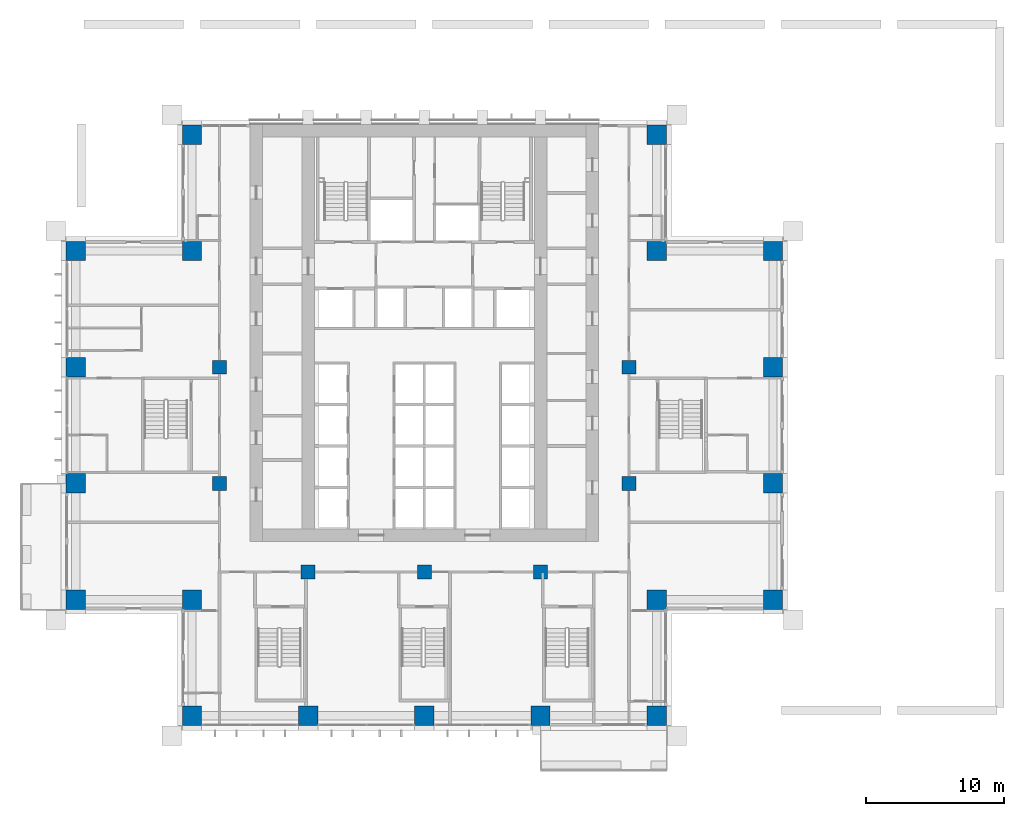
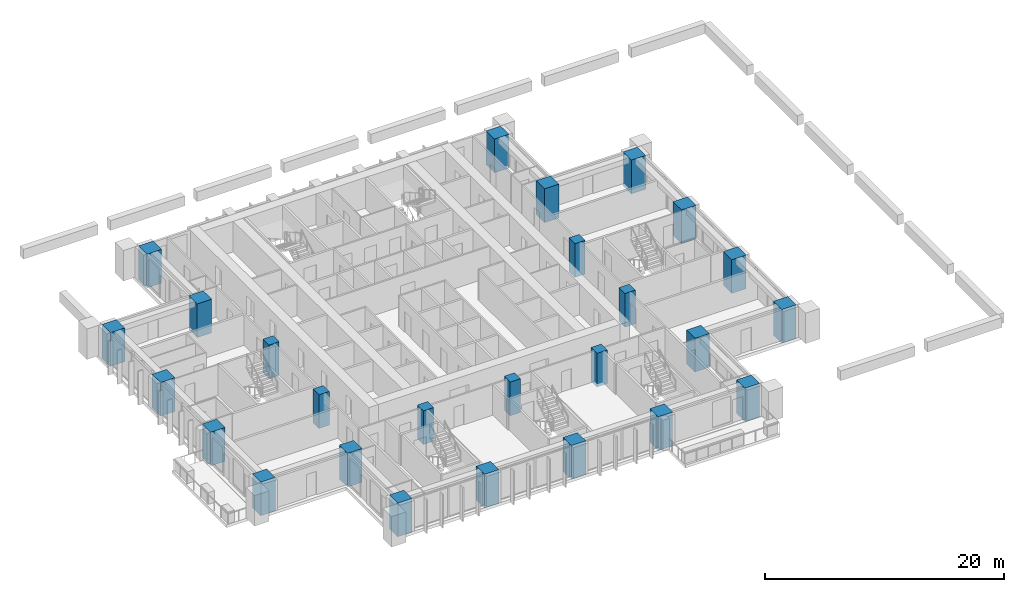
# One storey, part 1 of 18: 26 columns.
"""IFC4 building model written with IfcOpenShell, lengths in metres."""

from ifc_helpers import new_model, si_unit, direction, frame, origin, origin_2d, place, context, subcontext, project, spatial, rectangle, extrude, material, material_profile, profile_set, type_object, element, save


model = new_model("IFC4")

# Units and contexts
model_context = context("Model", 3, precision=1e-05, world=origin(), true_north=direction((0.0, 1.0)))
body_context = subcontext(model_context, "Body", "Model", "MODEL_VIEW")
ifc_project = project(units=[si_unit("LENGTHUNIT", "METRE"), si_unit("AREAUNIT", "SQUARE_METRE"), si_unit("VOLUMEUNIT", "CUBIC_METRE"), si_unit("PLANEANGLEUNIT", "RADIAN"), si_unit("MASSUNIT", "GRAM", prefix="KILO")], contexts=[model_context])

# Site, building, storey
site_placement = place(None, origin())
site = spatial("IfcSite", under=ifc_project, at=site_placement, CompositionType="ELEMENT")
building_placement = place(site_placement, origin())
building = spatial("IfcBuilding", under=site, at=building_placement, Name="Vermilion Ogive Tower", CompositionType="ELEMENT")
storey_placement = place(building_placement, frame((0.0, 0.0, 34.5)))
storey = spatial("IfcBuildingStorey", under=building, at=storey_placement, Name="L06", CompositionType="ELEMENT", Elevation=34.5)

# Columns
ifc_material_1 = material(Name="Concrete B80", Category="concrete")
ifc_material_profile_1 = material_profile(ifc_material_1, rectangle(XDim=1.39990234375, YDim=1.39990234375, at=origin_2d()), Name="1400 x 1400")
ifc_profile_set_1 = profile_set([ifc_material_profile_1], Name="Concrete B80")
column_type_1 = type_object("IfcColumnType", Name="Perimeter column 1400 x 1400 B80", PredefinedType="COLUMN", material=ifc_profile_set_1)
for number, where, z_axis, x_axis, name in (
    (1, (-16.800048828125, -21.0, -0.320068359375), (0.0, 0.0, 1.0), (1.0, 0.0, 0.0), "COL-L06-P-0168-210"),
    (2, (-8.39990234375, -21.0, -0.320068359375), (0.0, 0.0, 1.0), (1.0, 0.0, 0.0), "COL-L06-P-0084-210"),
    (3, (0.0, -21.0, -0.320068359375), (0.0, 0.0, 1.0), (1.0, 0.0, 0.0), "COL-L06-P+0000-210"),
    (4, (8.39990234375, -21.0, -0.320068359375), (0.0, 0.0, 1.0), (1.0, 0.0, 0.0), "COL-L06-P+0084-210"),
    (5, (16.800048828125, -21.0, -0.320068359375), (0.0, 0.0, 1.0), (1.0, 0.0, 0.0), "COL-L06-P+0168-210"),
    (6, (-25.199951171875, -12.60009765625, -0.320068359375), (0.0, 0.0, 1.0), (1.0, 0.0, 0.0), "COL-L06-P-0252-126"),
    (7, (-16.800048828125, -12.60009765625, -0.320068359375), (0.0, 0.0, 1.0), (1.0, 0.0, 0.0), "COL-L06-P-0168-126"),
    (8, (16.800048828125, -12.60009765625, -0.320068359375), (0.0, 0.0, 1.0), (1.0, 0.0, 0.0), "COL-L06-P+0168-126"),
    (9, (25.199951171875, -12.60009765625, -0.320068359375), (0.0, 0.0, 1.0), (1.0, 0.0, 0.0), "COL-L06-P+0252-126"),
    (10, (-25.199951171875, -4.199951171875, -0.320068359375), (0.0, 0.0, 1.0), (1.0, 0.0, 0.0), "COL-L06-P-0252-042"),
    (11, (25.199951171875, -4.199951171875, -0.320068359375), (0.0, 0.0, 1.0), (1.0, 0.0, 0.0), "COL-L06-P+0252-042"),
    (12, (-25.199951171875, 4.199951171875, -0.320068359375), (0.0, 0.0, 1.0), (1.0, 0.0, 0.0), "COL-L06-P-0252+042"),
    (13, (25.199951171875, 4.199951171875, -0.320068359375), (0.0, 0.0, 1.0), (1.0, 0.0, 0.0), "COL-L06-P+0252+042"),
    (14, (-25.199951171875, 12.60009765625, -0.320068359375), (0.0, 0.0, 1.0), (1.0, 0.0, 0.0), "COL-L06-P-0252+126"),
    (15, (-16.800048828125, 12.60009765625, -0.320068359375), (0.0, 0.0, 1.0), (1.0, 0.0, 0.0), "COL-L06-P-0168+126"),
    (16, (16.800048828125, 12.60009765625, -0.320068359375), (0.0, 0.0, 1.0), (1.0, 0.0, 0.0), "COL-L06-P+0168+126"),
    (17, (25.199951171875, 12.60009765625, -0.320068359375), (0.0, 0.0, 1.0), (1.0, 0.0, 0.0), "COL-L06-P+0252+126"),
    (18, (-16.800048828125, 21.0, -0.320068359375), (0.0, 0.0, 1.0), (1.0, 0.0, 0.0), "COL-L06-P-0168+210"),
    (19, (16.800048828125, 21.0, -0.320068359375), (0.0, 0.0, 1.0), (1.0, 0.0, 0.0), "COL-L06-P+0168+210"),
):
    element("IfcColumn", number, at=place(storey_placement, frame(where, z_axis=z_axis, x_axis=x_axis)), inside=storey, type_object=column_type_1, Name=name, PredefinedType="COLUMN", context=body_context, shape_type="SweptSolid", body=[
        extrude(rectangle(XDim=1.39990234375, YDim=1.39990234375, at=origin_2d()), origin(), (0.0, 0.0, 1.0), 3.449951171875),
    ])
ifc_material_2 = material(Name="Concrete B80", Category="concrete")
ifc_material_profile_2 = material_profile(ifc_material_2, rectangle(XDim=1.0, YDim=1.0, at=origin_2d()), Name="1000 x 1000")
ifc_profile_set_2 = profile_set([ifc_material_profile_2], Name="Concrete B80")
column_type_2 = type_object("IfcColumnType", Name="Ring column 1000 x 1000 B80", PredefinedType="COLUMN", material=ifc_profile_set_2)
for number, where, z_axis, x_axis, name in (
    (20, (-8.39990234375, -10.60009765625, -0.320068359375), (0.0, 0.0, 1.0), (1.0, 0.0, 0.0), "COL-L06-R-0084-106"),
    (21, (0.0, -10.60009765625, -0.320068359375), (0.0, 0.0, 1.0), (1.0, 0.0, 0.0), "COL-L06-R+0000-106"),
    (22, (8.39990234375, -10.60009765625, -0.320068359375), (0.0, 0.0, 1.0), (1.0, 0.0, 0.0), "COL-L06-R+0084-106"),
    (23, (-14.800048828125, -4.199951171875, -0.320068359375), (0.0, 0.0, 1.0), (1.0, 0.0, 0.0), "COL-L06-R-0148-042"),
    (24, (14.800048828125, -4.199951171875, -0.320068359375), (0.0, 0.0, 1.0), (1.0, 0.0, 0.0), "COL-L06-R+0148-042"),
    (25, (-14.800048828125, 4.199951171875, -0.320068359375), (0.0, 0.0, 1.0), (1.0, 0.0, 0.0), "COL-L06-R-0148+042"),
    (26, (14.800048828125, 4.199951171875, -0.320068359375), (0.0, 0.0, 1.0), (1.0, 0.0, 0.0), "COL-L06-R+0148+042"),
):
    element("IfcColumn", number, at=place(storey_placement, frame(where, z_axis=z_axis, x_axis=x_axis)), inside=storey, type_object=column_type_2, Name=name, PredefinedType="COLUMN", context=body_context, shape_type="SweptSolid", body=[
        extrude(rectangle(XDim=1.0, YDim=1.0, at=origin_2d()), origin(), (0.0, 0.0, 1.0), 3.449951171875),
    ])

save(model, "model.ifc")
